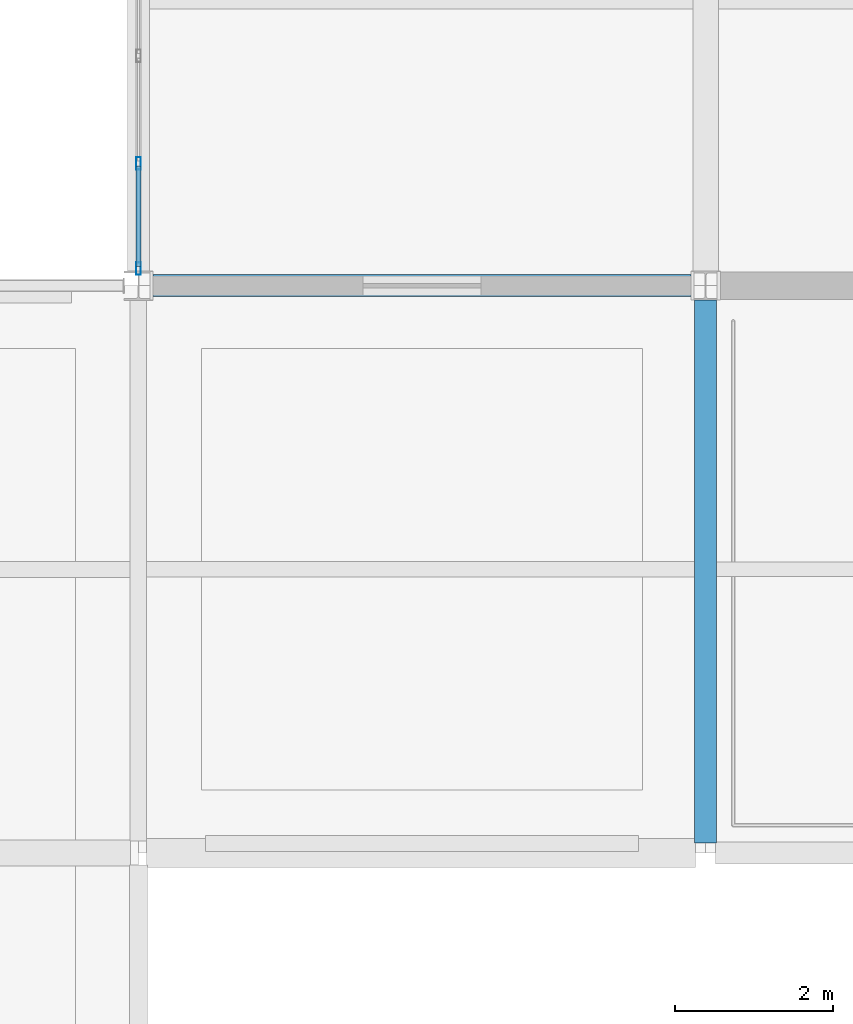
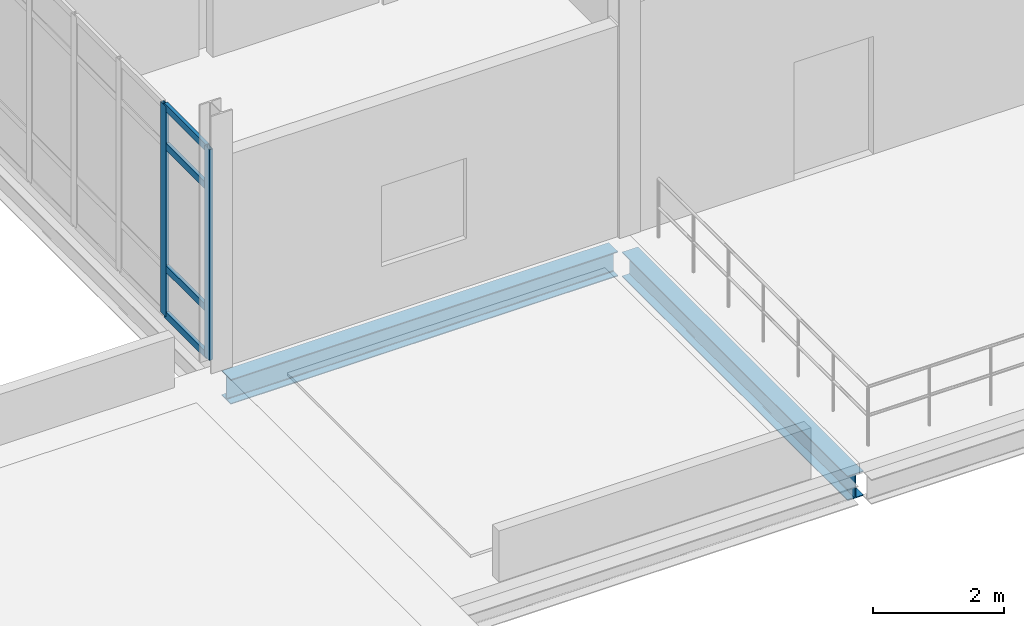
# One storey, part 39 of 153: 6 members, 2 beams, 1 element without a shape of its own.
"""IFC4 building model written with IfcOpenShell, lengths in metres."""

from ifc_helpers import new_model, si_unit, direction, frame, origin, origin_2d, place, context, subcontext, project, spatial, hollow_rectangle, i_section, extrude, material, layer, layer_set, material_profile, profile_set, type_object, element, aggregate, save


model = new_model("IFC4")

# Units and contexts
model_context = context("Model", 3, precision=1e-05, world=origin(), true_north=direction((0.0, 1.0)))
body_context = subcontext(model_context, "Body", "Model", "MODEL_VIEW")
ifc_project = project(units=[si_unit("LENGTHUNIT", "METRE"), si_unit("AREAUNIT", "SQUARE_METRE"), si_unit("VOLUMEUNIT", "CUBIC_METRE"), si_unit("PLANEANGLEUNIT", "RADIAN"), si_unit("MASSUNIT", "GRAM", prefix="KILO")], contexts=[model_context])

# Site, building, storey
site_placement = place(None, origin())
site = spatial("IfcSite", under=ifc_project, at=site_placement, CompositionType="ELEMENT")
building_placement = place(site_placement, origin())
building = spatial("IfcBuilding", under=site, at=building_placement, Name="Calvrana Isthmian Art Gallery", CompositionType="ELEMENT")
storey_placement = place(building_placement, frame((0.0, 0.0, 10.199951171875)))
storey = spatial("IfcBuildingStorey", under=building, at=storey_placement, Name="L02", CompositionType="ELEMENT", Elevation=10.199951171875)

# Beams
ifc_material_1 = material(Name="Steel ASTM A992 Gr 50", Category="steel")
ifc_material_profile_1 = material_profile(ifc_material_1, i_section(OverallWidth=0.279052734375, OverallDepth=0.4619140625, WebThickness=0.0107421875, FlangeThickness=0.017333984375, FilletRadius=0.02001953125, at=origin_2d()), Name="W18X76")
ifc_profile_set_1 = profile_set([ifc_material_profile_1], Name="Steel ASTM A992 Gr 50")
beam_type = type_object("IfcBeamType", Name="BM-G-W18X76", PredefinedType="BEAM", material=ifc_profile_set_1)
beam_1_placement = place(storey_placement, frame((112.986572265625, 14.39990234375, -0.495849609375), z_axis=(1.0, 0.0, 0.0), x_axis=(0.0, 1.0, 0.0)))
element("IfcBeam", 1, at=beam_1_placement, inside=storey, type_object=beam_type, Name="Girder X L02 15-16/C", PredefinedType="BEAM", context=body_context, shape_type="SweptSolid", body=[
    extrude(i_section(OverallWidth=0.279052734375, OverallDepth=0.4619140625, WebThickness=0.0107421875, FlangeThickness=0.017333984375, FilletRadius=0.02001953125, at=origin_2d()), origin(), (0.0, 0.0, 1.0), 6.827880859375),
])
beam_2_placement = place(storey_placement, frame((120.0, 7.326904296875, -0.495849609375), z_axis=(0.0, 1.0, 0.0), x_axis=(-1.0, 0.0, 0.0)))
element("IfcBeam", 2, at=beam_2_placement, inside=storey, type_object=beam_type, Name="Girder Y L02 16/B-C", PredefinedType="BEAM", context=body_context, shape_type="SweptSolid", body=[
    extrude(i_section(OverallWidth=0.279052734375, OverallDepth=0.4619140625, WebThickness=0.0107421875, FlangeThickness=0.017333984375, FilletRadius=0.02001953125, at=origin_2d()), origin(), (0.0, 0.0, 1.0), 6.8916015625),
])

# Curtain wall, members
ifc_material_2 = material(Name="Anodized bronze aluminium 6063-T6", Category="aluminium")
ifc_layer = layer(ifc_material_2, 0.179931640625, Name="Anodized bronze aluminium 6063-T6")
ifc_layer_set = layer_set([ifc_layer], Name="Anodized bronze aluminium 6063-T6")
curtain_wall_type = type_object("IfcCurtainWallType", Name="CW-STICK-068X39", PredefinedType="NOTDEFINED", material=ifc_layer_set)
curtain_wall_placement = place(storey_placement, origin())
curtain_wall = element("IfcCurtainWall", 3, at=curtain_wall_placement, inside=storey, type_object=curtain_wall_type, Name="Curtain wall CW-181", PredefinedType="NOTDEFINED")
ifc_material_profile_2 = material_profile(ifc_material_2, hollow_rectangle(XDim=0.06005859375, YDim=0.159912109375, WallThickness=0.00390625, at=origin_2d()), Name="CWM60X160")
ifc_profile_set_2 = profile_set([ifc_material_profile_2], Name="Anodized bronze aluminium 6063-T6")
member_type_1 = type_object("IfcMemberType", Name="CWM-CWM60X160", PredefinedType="MULLION", material=ifc_profile_set_2)
member_1_placement = place(storey_placement, frame((112.800048828125, 14.616455078125, 0.0), z_axis=(0.0, 0.0, 1.0), x_axis=(-1.0, 0.0, 0.0)))
member_1 = element("IfcMember", 4, at=member_1_placement, type_object=member_type_1, Name="CW-181 mullion 1", PredefinedType="MULLION", context=body_context, shape_type="SweptSolid", body=[
    extrude(hollow_rectangle(XDim=0.06005859375, YDim=0.159912109375, WallThickness=0.00390625, at=origin_2d()), origin(), (0.0, 0.0, 1.0), 3.927978515625),
])
member_2_placement = place(storey_placement, frame((112.800048828125, 15.951904296875, 0.0), z_axis=(0.0, 0.0, 1.0), x_axis=(-1.0, 0.0, 0.0)))
member_2 = element("IfcMember", 5, at=member_2_placement, type_object=member_type_1, Name="CW-181 mullion 2", PredefinedType="MULLION", context=body_context, shape_type="SweptSolid", body=[
    extrude(hollow_rectangle(XDim=0.06005859375, YDim=0.159912109375, WallThickness=0.00390625, at=origin_2d()), origin(), (0.0, 0.0, 1.0), 3.927978515625),
])
ifc_material_profile_3 = material_profile(ifc_material_2, hollow_rectangle(XDim=0.06005859375, YDim=0.1298828125, WallThickness=0.00390625, at=origin_2d()), Name="CWT60X130")
ifc_profile_set_3 = profile_set([ifc_material_profile_3], Name="Anodized bronze aluminium 6063-T6")
member_type_2 = type_object("IfcMemberType", Name="CWT-CWT60X130", PredefinedType="USERDEFINED", material=ifc_profile_set_3)
member_3_placement = place(storey_placement, frame((112.800048828125, 14.646484375, 0.030029296875), z_axis=(0.0, 1.0, 0.0), x_axis=(-1.0, 0.0, 0.0)))
member_3 = element("IfcMember", 6, at=member_3_placement, type_object=member_type_2, Name="CW-181 transom 1.1", ObjectType="TRANSOM", PredefinedType="USERDEFINED", context=body_context, shape_type="SweptSolid", body=[
    extrude(hollow_rectangle(XDim=0.06005859375, YDim=0.1298828125, WallThickness=0.00390625, at=origin_2d()), origin(), (0.0, 0.0, 1.0), 1.275390625),
])
member_4_placement = place(storey_placement, frame((112.800048828125, 14.646484375, 0.900146484375), z_axis=(0.0, 1.0, 0.0), x_axis=(-1.0, 0.0, 0.0)))
member_4 = element("IfcMember", 7, at=member_4_placement, type_object=member_type_2, Name="CW-181 transom 1.2", ObjectType="TRANSOM", PredefinedType="USERDEFINED", context=body_context, shape_type="SweptSolid", body=[
    extrude(hollow_rectangle(XDim=0.06005859375, YDim=0.1298828125, WallThickness=0.00390625, at=origin_2d()), origin(), (0.0, 0.0, 1.0), 1.275390625),
])
member_5_placement = place(storey_placement, frame((112.800048828125, 14.646484375, 3.177978515625), z_axis=(0.0, 1.0, 0.0), x_axis=(-1.0, 0.0, 0.0)))
member_5 = element("IfcMember", 8, at=member_5_placement, type_object=member_type_2, Name="CW-181 transom 1.3", ObjectType="TRANSOM", PredefinedType="USERDEFINED", context=body_context, shape_type="SweptSolid", body=[
    extrude(hollow_rectangle(XDim=0.06005859375, YDim=0.1298828125, WallThickness=0.00390625, at=origin_2d()), origin(), (0.0, 0.0, 1.0), 1.275390625),
])
member_6_placement = place(storey_placement, frame((112.800048828125, 14.646484375, 3.89794921875), z_axis=(0.0, 1.0, 0.0), x_axis=(-1.0, 0.0, 0.0)))
member_6 = element("IfcMember", 9, at=member_6_placement, type_object=member_type_2, Name="CW-181 transom 1.4", ObjectType="TRANSOM", PredefinedType="USERDEFINED", context=body_context, shape_type="SweptSolid", body=[
    extrude(hollow_rectangle(XDim=0.06005859375, YDim=0.1298828125, WallThickness=0.00390625, at=origin_2d()), origin(), (0.0, 0.0, 1.0), 1.275390625),
])
aggregate(curtain_wall, [member_1, member_2, member_3, member_4, member_5, member_6])

save(model, "model.ifc")
